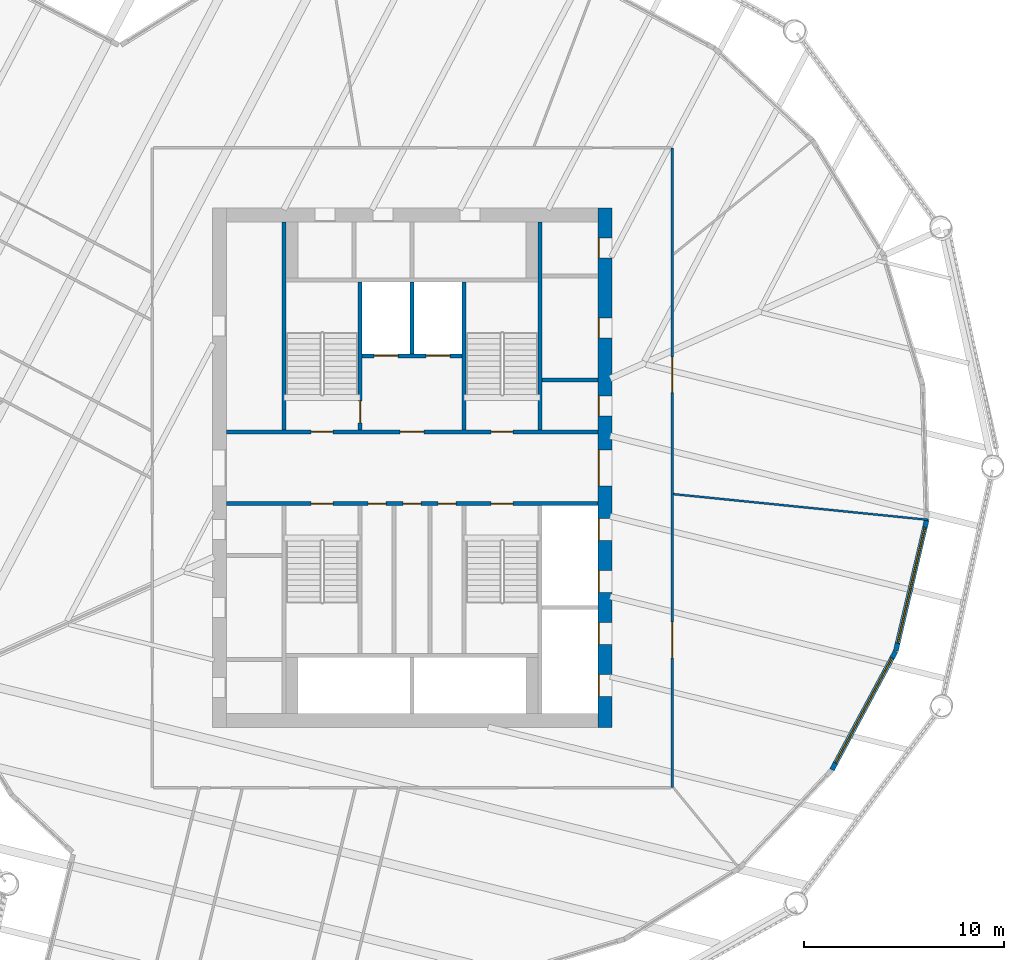
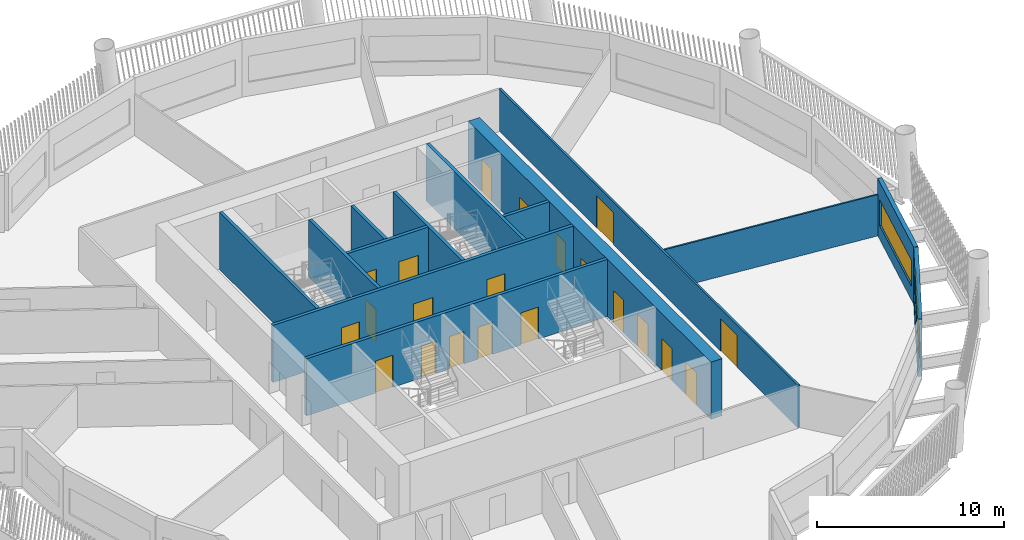
# One storey, part 5 of 15: 21 doors, 14 walls, 2 windows, 23 openings.
"""IFC4 building model written with IfcOpenShell, lengths in metres."""

from ifc_helpers import new_model, si_unit, direction, frame, frame_2d, origin, place, context, subcontext, project, spatial, rectangle, extrude, material, layer, layer_set, type_object, element, fill, save


model = new_model("IFC4")

# Units and contexts
model_context = context("Model", 3, precision=1e-05, world=origin(), true_north=direction((0.0, 1.0)))
body_context = subcontext(model_context, "Body", "Model", "MODEL_VIEW")
ifc_project = project(units=[si_unit("LENGTHUNIT", "METRE"), si_unit("AREAUNIT", "SQUARE_METRE"), si_unit("VOLUMEUNIT", "CUBIC_METRE"), si_unit("PLANEANGLEUNIT", "RADIAN"), si_unit("MASSUNIT", "GRAM", prefix="KILO")], contexts=[model_context])

# Site, building, storey
site_placement = place(None, origin())
site = spatial("IfcSite", under=ifc_project, at=site_placement, CompositionType="ELEMENT")
building_placement = place(site_placement, origin())
building = spatial("IfcBuilding", under=site, at=building_placement, Name="Tarsis Ring Headquarters", CompositionType="ELEMENT")
storey_placement = place(building_placement, frame((0.0, 0.0, 167.10009765625)))
storey = spatial("IfcBuildingStorey", under=building, at=storey_placement, Name="L38", CompositionType="ELEMENT", Elevation=167.10009765625)

# Wall
ifc_material_1 = material(Name="Blockwork", Category="masonry")
ifc_layer_1 = layer(ifc_material_1, 0.199951171875)
ifc_layer_set_1 = layer_set([ifc_layer_1], Name="Core blockwork wall 200")
wall_type_1 = type_object("IfcWallType", Name="Core blockwork wall 200", PredefinedType="PARTITIONING", material=ifc_layer_set_1)
wall_1_placement = place(storey_placement, frame((6.5, 4.39990234375, 0.0), z_axis=(0.0, 0.0, 1.0), x_axis=(1.0, 0.0, 0.0)))
element("IfcWall", 1, at=wall_1_placement, inside=storey, type_object=wall_type_1, Name="Core partition ED5", PredefinedType="PARTITIONING", context=body_context, shape_type="SweptSolid", body=[
    extrude(rectangle(XDim=2.800048828125, YDim=0.199951171875, at=frame_2d((1.39990234375, 0.0))), origin(), (0.0, 0.0, 1.0), 3.739990234375),
])

# Wall, openings, doors
ifc_material_2 = material(Name="Concrete C60/75", Category="concrete")
ifc_layer_2 = layer(ifc_material_2, 0.699951171875)
ifc_layer_set_2 = layer_set([ifc_layer_2], Name="Core wall 700 C60/75")
wall_type_2 = type_object("IfcWallType", Name="Core wall 700 C60/75", PredefinedType="SHEAR", material=ifc_layer_set_2)
wall_2_placement = place(storey_placement, frame((9.64990234375, -13.0, 0.0), z_axis=(0.0, 0.0, 1.0), x_axis=(0.0, 1.0, 0.0)))
wall_2 = element("IfcWall", 2, at=wall_2_placement, inside=storey, type_object=wall_type_2, Name="Core wall OE", PredefinedType="SHEAR", context=body_context, shape_type="SweptSolid", body=[
    extrude(rectangle(XDim=26.0, YDim=0.699951171875, at=frame_2d((13.0, 0.0))), origin(), (0.0, 0.0, 1.0), 3.739990234375),
])
opening_1_placement = place(wall_2_placement, frame((1.550048828125, 0.0, 0.0)))
opening_1 = element("IfcOpeningElement", 3, at=opening_1_placement, cuts=wall_2, Name="Opening LD-MR1", PredefinedType="OPENING", context=body_context, shape_type="SweptSolid", body=[
    extrude(rectangle(XDim=1.10009765625, YDim=2.10009765625, at=frame_2d((0.550048828125, 1.050048828125))), frame((0.0, 0.35986328125, 0.0), z_axis=(0.0, -1.0, 0.0), x_axis=(1.0, 0.0, 0.0)), (0.0, 0.0, 1.0), 0.719970703125),
])
opening_2_placement = place(wall_2_placement, frame((4.14990234375, 0.0, 0.0)))
opening_2 = element("IfcOpeningElement", 4, at=opening_2_placement, cuts=wall_2, Name="Opening LD-MR2", PredefinedType="OPENING", context=body_context, shape_type="SweptSolid", body=[
    extrude(rectangle(XDim=1.10009765625, YDim=2.10009765625, at=frame_2d((0.550048828125, 1.050048828125))), frame((0.0, 0.35986328125, 0.0), z_axis=(0.0, -1.0, 0.0), x_axis=(1.0, 0.0, 0.0)), (0.0, 0.0, 1.0), 0.719970703125),
])
opening_3_placement = place(wall_2_placement, frame((6.75, 0.0, 0.0)))
opening_3 = element("IfcOpeningElement", 5, at=opening_3_placement, cuts=wall_2, Name="Opening LD-MR3", PredefinedType="OPENING", context=body_context, shape_type="SweptSolid", body=[
    extrude(rectangle(XDim=1.10009765625, YDim=2.10009765625, at=frame_2d((0.550048828125, 1.050048828125))), frame((0.0, 0.35986328125, 0.0), z_axis=(0.0, -1.0, 0.0), x_axis=(1.0, 0.0, 0.0)), (0.0, 0.0, 1.0), 0.719970703125),
])
opening_4_placement = place(wall_2_placement, frame((9.35009765625, 0.0, 0.0)))
opening_4 = element("IfcOpeningElement", 6, at=opening_4_placement, cuts=wall_2, Name="Opening LD-MR4", PredefinedType="OPENING", context=body_context, shape_type="SweptSolid", body=[
    extrude(rectangle(XDim=1.10009765625, YDim=2.10009765625, at=frame_2d((0.550048828125, 1.050048828125))), frame((0.0, 0.35986328125, 0.0), z_axis=(0.0, -1.0, 0.0), x_axis=(1.0, 0.0, 0.0)), (0.0, 0.0, 1.0), 0.719970703125),
])
opening_5_placement = place(wall_2_placement, frame((12.10009765625, 0.0, 0.0)))
opening_5 = element("IfcOpeningElement", 7, at=opening_5_placement, cuts=wall_2, Name="Opening L38-C10", PredefinedType="OPENING", context=body_context, shape_type="SweptSolid", body=[
    extrude(rectangle(XDim=1.800048828125, YDim=2.10009765625, at=frame_2d((0.89990234375, 1.050048828125))), frame((0.0, 0.35986328125, 0.0), z_axis=(0.0, -1.0, 0.0), x_axis=(1.0, 0.0, 0.0)), (0.0, 0.0, 1.0), 0.719970703125),
])
opening_6_placement = place(wall_2_placement, frame((15.60009765625, 0.0, 0.0)))
opening_6 = element("IfcOpeningElement", 8, at=opening_6_placement, cuts=wall_2, Name="Opening L38-C11", PredefinedType="OPENING", context=body_context, shape_type="SweptSolid", body=[
    extrude(rectangle(XDim=1.0, YDim=2.10009765625, at=frame_2d((0.5, 1.050048828125))), frame((0.0, 0.35986328125, 0.0), z_axis=(0.0, -1.0, 0.0), x_axis=(1.0, 0.0, 0.0)), (0.0, 0.0, 1.0), 0.719970703125),
])
opening_7_placement = place(wall_2_placement, frame((19.5, 0.0, 0.0)))
opening_7 = element("IfcOpeningElement", 9, at=opening_7_placement, cuts=wall_2, Name="Opening L38-C12", PredefinedType="OPENING", context=body_context, shape_type="SweptSolid", body=[
    extrude(rectangle(XDim=1.0, YDim=2.10009765625, at=frame_2d((0.5, 1.050048828125))), frame((0.0, 0.35986328125, 0.0), z_axis=(0.0, -1.0, 0.0), x_axis=(1.0, 0.0, 0.0)), (0.0, 0.0, 1.0), 0.719970703125),
])
opening_8_placement = place(wall_2_placement, frame((23.5, 0.0, 0.0)))
opening_8 = element("IfcOpeningElement", 10, at=opening_8_placement, cuts=wall_2, Name="Opening L38-C13", PredefinedType="OPENING", context=body_context, shape_type="SweptSolid", body=[
    extrude(rectangle(XDim=1.0, YDim=2.10009765625, at=frame_2d((0.5, 1.050048828125))), frame((0.0, 0.35986328125, 0.0), z_axis=(0.0, -1.0, 0.0), x_axis=(1.0, 0.0, 0.0)), (0.0, 0.0, 1.0), 0.719970703125),
])
ifc_material_3 = material(Name="Steel S355", Category="steel")
door_type_1 = type_object("IfcDoorType", Name="Core entry door 1800x2100", OperationType="DOUBLE_DOOR_SINGLE_SWING", PredefinedType="DOOR", material=ifc_material_3)
door_1_placement = place(opening_5_placement, origin())
door_1 = element("IfcDoor", 11, at=door_1_placement, inside=storey, type_object=door_type_1, Name="Core entry door L38", OperationType="DOUBLE_DOOR_SINGLE_SWING", OverallHeight=2.10009765625, OverallWidth=1.800048828125, PredefinedType="DOOR", context=body_context, shape_type="SweptSolid", body=[
    extrude(rectangle(XDim=1.800048828125, YDim=2.10009765625, at=frame_2d((0.89990234375, 1.050048828125))), frame((0.0, 0.35009765625, 0.0), z_axis=(0.0, -1.0, 0.0), x_axis=(1.0, 0.0, 0.0)), (0.0, 0.0, 1.0), 0.050048828125),
])
fill(opening_5, door_1)
door_type_2 = type_object("IfcDoorType", Name="Core room door 1000x2100", OperationType="SINGLE_SWING_LEFT", PredefinedType="DOOR", material=ifc_material_3)
door_2_placement = place(opening_6_placement, origin())
door_2 = element("IfcDoor", 12, at=door_2_placement, inside=storey, type_object=door_type_2, Name="Core room door L38", OperationType="SINGLE_SWING_LEFT", OverallHeight=2.10009765625, OverallWidth=1.0, PredefinedType="DOOR", context=body_context, shape_type="SweptSolid", body=[
    extrude(rectangle(XDim=1.0, YDim=2.10009765625, at=frame_2d((0.5, 1.050048828125))), frame((0.0, 0.35009765625, 0.0), z_axis=(0.0, -1.0, 0.0), x_axis=(1.0, 0.0, 0.0)), (0.0, 0.0, 1.0), 0.050048828125),
])
fill(opening_6, door_2)
door_3_placement = place(opening_7_placement, origin())
door_3 = element("IfcDoor", 13, at=door_3_placement, inside=storey, type_object=door_type_2, Name="Core room door L38", OperationType="SINGLE_SWING_LEFT", OverallHeight=2.10009765625, OverallWidth=1.0, PredefinedType="DOOR", context=body_context, shape_type="SweptSolid", body=[
    extrude(rectangle(XDim=1.0, YDim=2.10009765625, at=frame_2d((0.5, 1.050048828125))), frame((0.0, 0.35009765625, 0.0), z_axis=(0.0, -1.0, 0.0), x_axis=(1.0, 0.0, 0.0)), (0.0, 0.0, 1.0), 0.050048828125),
])
fill(opening_7, door_3)
door_4_placement = place(opening_8_placement, origin())
door_4 = element("IfcDoor", 14, at=door_4_placement, inside=storey, type_object=door_type_2, Name="Core room door L38", OperationType="SINGLE_SWING_LEFT", OverallHeight=2.10009765625, OverallWidth=1.0, PredefinedType="DOOR", context=body_context, shape_type="SweptSolid", body=[
    extrude(rectangle(XDim=1.0, YDim=2.10009765625, at=frame_2d((0.5, 1.050048828125))), frame((0.0, 0.35009765625, 0.0), z_axis=(0.0, -1.0, 0.0), x_axis=(1.0, 0.0, 0.0)), (0.0, 0.0, 1.0), 0.050048828125),
])
fill(opening_8, door_4)
door_type_3 = type_object("IfcDoorType", Name="Landing door 1100x2100", OperationType="SLIDING_TO_LEFT", PredefinedType="DOOR", material=ifc_material_3)
door_5_placement = place(opening_1_placement, origin())
door_5 = element("IfcDoor", 15, at=door_5_placement, inside=storey, type_object=door_type_3, Name="Landing door MR1 L38", OperationType="SLIDING_TO_LEFT", OverallHeight=2.10009765625, OverallWidth=1.10009765625, PredefinedType="DOOR", context=body_context, shape_type="SweptSolid", body=[
    extrude(rectangle(XDim=1.10009765625, YDim=2.10009765625, at=frame_2d((0.550048828125, 1.050048828125))), frame((0.0, 0.35009765625, 0.0), z_axis=(0.0, -1.0, 0.0), x_axis=(1.0, 0.0, 0.0)), (0.0, 0.0, 1.0), 0.050048828125),
])
fill(opening_1, door_5)
door_6_placement = place(opening_2_placement, origin())
door_6 = element("IfcDoor", 16, at=door_6_placement, inside=storey, type_object=door_type_3, Name="Landing door MR2 L38", OperationType="SLIDING_TO_LEFT", OverallHeight=2.10009765625, OverallWidth=1.10009765625, PredefinedType="DOOR", context=body_context, shape_type="SweptSolid", body=[
    extrude(rectangle(XDim=1.10009765625, YDim=2.10009765625, at=frame_2d((0.550048828125, 1.050048828125))), frame((0.0, 0.35009765625, 0.0), z_axis=(0.0, -1.0, 0.0), x_axis=(1.0, 0.0, 0.0)), (0.0, 0.0, 1.0), 0.050048828125),
])
fill(opening_2, door_6)
door_7_placement = place(opening_3_placement, origin())
door_7 = element("IfcDoor", 17, at=door_7_placement, inside=storey, type_object=door_type_3, Name="Landing door MR3 L38", OperationType="SLIDING_TO_LEFT", OverallHeight=2.10009765625, OverallWidth=1.10009765625, PredefinedType="DOOR", context=body_context, shape_type="SweptSolid", body=[
    extrude(rectangle(XDim=1.10009765625, YDim=2.10009765625, at=frame_2d((0.550048828125, 1.050048828125))), frame((0.0, 0.35009765625, 0.0), z_axis=(0.0, -1.0, 0.0), x_axis=(1.0, 0.0, 0.0)), (0.0, 0.0, 1.0), 0.050048828125),
])
fill(opening_3, door_7)
door_8_placement = place(opening_4_placement, origin())
door_8 = element("IfcDoor", 18, at=door_8_placement, inside=storey, type_object=door_type_3, Name="Landing door MR4 L38", OperationType="SLIDING_TO_LEFT", OverallHeight=2.10009765625, OverallWidth=1.10009765625, PredefinedType="DOOR", context=body_context, shape_type="SweptSolid", body=[
    extrude(rectangle(XDim=1.10009765625, YDim=2.10009765625, at=frame_2d((0.550048828125, 1.050048828125))), frame((0.0, 0.35009765625, 0.0), z_axis=(0.0, -1.0, 0.0), x_axis=(1.0, 0.0, 0.0)), (0.0, 0.0, 1.0), 0.050048828125),
])
fill(opening_4, door_8)

# Wall
ifc_material_4 = material(Name="Gypsum board on steel studs", Category="steel")
ifc_layer_3 = layer(ifc_material_4, 0.10009765625)
ifc_layer_set_3 = layer_set([ifc_layer_3], Name="FL partition 100 unrated")
wall_type_3 = type_object("IfcWallType", Name="FL partition 100 unrated", PredefinedType="PARTITIONING", material=ifc_layer_set_3)
wall_3_placement = place(storey_placement, frame((13.069580078125, -1.318359375, 0.0), z_axis=(0.0, 0.0, 1.0), x_axis=(0.994950594724, -0.100365900875, 0.0)))
element("IfcWall", 19, at=wall_3_placement, inside=storey, type_object=wall_type_3, Name="Partition PW3", PredefinedType="PARTITIONING", context=body_context, shape_type="SweptSolid", body=[
    extrude(rectangle(XDim=12.81201171875, YDim=0.10009765625, at=frame_2d((6.406005859375, 0.0))), origin(), (0.0, 0.0, 1.0), 2.699951171875),
])

# Wall, openings, doors
ifc_layer_4 = layer(ifc_material_4, 0.125)
ifc_layer_set_4 = layer_set([ifc_layer_4], Name="FL partition 125 EI 60 H2770")
wall_type_4 = type_object("IfcWallType", Name="FL partition 125 EI 60 H2770", PredefinedType="PARTITIONING", material=ifc_layer_set_4)
wall_4_placement = place(storey_placement, frame((13.0, -16.0, 0.0), z_axis=(0.0, 0.0, 1.0), x_axis=(0.0, 1.0, 0.0)))
wall_4 = element("IfcWall", 20, at=wall_4_placement, inside=storey, type_object=wall_type_4, Name="Partition PW1", PredefinedType="PARTITIONING", context=body_context, shape_type="SweptSolid", body=[
    extrude(rectangle(XDim=32.0, YDim=0.125, at=frame_2d((16.0, 0.0))), origin(), (0.0, 0.0, 1.0), 2.77001953125),
])
opening_9_placement = place(wall_4_placement, frame((19.753173828125, 0.0, 0.0)))
opening_9 = element("IfcOpeningElement", 21, at=opening_9_placement, cuts=wall_4, Name="Opening D38.05", PredefinedType="OPENING", context=body_context, shape_type="SweptSolid", body=[
    extrude(rectangle(XDim=1.800048828125, YDim=2.10009765625, at=frame_2d((0.89990234375, 1.050048828125))), frame((0.0, 0.072509765625, 0.0), z_axis=(0.0, -1.0, 0.0), x_axis=(1.0, 0.0, 0.0)), (0.0, 0.0, 1.0), 0.14501953125),
])
opening_10_placement = place(wall_4_placement, frame((6.48583984375, 0.0, 0.0)))
opening_10 = element("IfcOpeningElement", 22, at=opening_10_placement, cuts=wall_4, Name="Opening D38.06", PredefinedType="OPENING", context=body_context, shape_type="SweptSolid", body=[
    extrude(rectangle(XDim=1.800048828125, YDim=2.10009765625, at=frame_2d((0.89990234375, 1.050048828125))), frame((0.0, 0.072509765625, 0.0), z_axis=(0.0, -1.0, 0.0), x_axis=(1.0, 0.0, 0.0)), (0.0, 0.0, 1.0), 0.14501953125),
])
ifc_material_5 = material(Name="Fire-rated timber door leaf in steel frame", Category="steel")
door_type_4 = type_object("IfcDoorType", Name="FL door FD60-1800", OperationType="DOUBLE_DOOR_SINGLE_SWING", PredefinedType="DOOR", material=ifc_material_5)
door_9_placement = place(opening_9_placement, origin())
door_9 = element("IfcDoor", 23, at=door_9_placement, inside=storey, type_object=door_type_4, Name="Door D38.05", OperationType="DOUBLE_DOOR_SINGLE_SWING", OverallHeight=2.10009765625, OverallWidth=1.800048828125, PredefinedType="DOOR", context=body_context, shape_type="SweptSolid", body=[
    extrude(rectangle(XDim=1.800048828125, YDim=2.10009765625, at=frame_2d((0.89990234375, 1.050048828125))), frame((0.0, 0.02490234375, 0.0), z_axis=(0.0, -1.0, 0.0), x_axis=(1.0, 0.0, 0.0)), (0.0, 0.0, 1.0), 0.050048828125),
])
fill(opening_9, door_9)
door_10_placement = place(opening_10_placement, origin())
door_10 = element("IfcDoor", 24, at=door_10_placement, inside=storey, type_object=door_type_4, Name="Door D38.06", OperationType="DOUBLE_DOOR_SINGLE_SWING", OverallHeight=2.10009765625, OverallWidth=1.800048828125, PredefinedType="DOOR", context=body_context, shape_type="SweptSolid", body=[
    extrude(rectangle(XDim=1.800048828125, YDim=2.10009765625, at=frame_2d((0.89990234375, 1.050048828125))), frame((0.0, 0.02490234375, 0.0), z_axis=(0.0, -1.0, 0.0), x_axis=(1.0, 0.0, 0.0)), (0.0, 0.0, 1.0), 0.050048828125),
])
fill(opening_10, door_10)

# Wall, opening, window
ifc_material_6 = material(Name="Terracotta clad insulated panel wall", Category="masonry")
ifc_layer_5 = layer(ifc_material_6, 0.25)
ifc_layer_set_5 = layer_set([ifc_layer_5], Name="Facade wall terracotta panel 250")
wall_type_5 = type_object("IfcWallType", Name="Facade wall terracotta panel 250", PredefinedType="STANDARD", material=ifc_layer_set_5)
wall_5_placement = place(storey_placement, frame((21.003662109375, -15.10595703125, 0.0), z_axis=(0.0, 0.0, 1.0), x_axis=(0.473488905587, 0.880799782179, 0.0)))
wall_5 = element("IfcWall", 25, at=wall_5_placement, inside=storey, type_object=wall_type_5, Name="External wall L38-20", PredefinedType="STANDARD", context=body_context, shape_type="SweptSolid", body=[
    extrude(rectangle(XDim=6.7216796875, YDim=0.25, at=frame_2d((3.36083984375, 0.0))), origin(), (0.0, 0.0, 1.0), 3.739990234375),
])
opening_11_placement = place(wall_5_placement, frame((0.3857421875, 0.0, 0.89990234375)))
opening_11 = element("IfcOpeningElement", 26, at=opening_11_placement, cuts=wall_5, Name="Opening WN07", PredefinedType="OPENING", context=body_context, shape_type="SweptSolid", body=[
    extrude(rectangle(XDim=5.949951171875, YDim=1.699951171875, at=frame_2d((2.97509765625, 0.85009765625))), frame((0.0, 0.135009765625, 0.0), z_axis=(0.0, -1.0, 0.0), x_axis=(1.0, 0.0, 0.0)), (0.0, 0.0, 1.0), 0.27001953125),
])
ifc_material_7 = material(Name="Aluminium framed double glazing", Category="aluminium")
window_type = type_object("IfcWindowType", Name="Facade window 5950 x 1700", PartitioningType="SINGLE_PANEL", PredefinedType="WINDOW", material=ifc_material_7)
window_1_placement = place(opening_11_placement, origin())
window_1 = element("IfcWindow", 27, at=window_1_placement, inside=storey, type_object=window_type, Name="Window L38-20.1", OverallHeight=1.699951171875, OverallWidth=5.949951171875, PartitioningType="SINGLE_PANEL", PredefinedType="WINDOW", context=body_context, shape_type="SweptSolid", body=[
    extrude(rectangle(XDim=5.949951171875, YDim=1.699951171875, at=frame_2d((2.97509765625, 0.85009765625))), frame((0.0, 0.030029296875, 0.0), z_axis=(0.0, -1.0, 0.0), x_axis=(1.0, 0.0, 0.0)), (0.0, 0.0, 1.0), 0.06005859375),
])
fill(opening_11, window_1)

wall_6_placement = place(storey_placement, frame((24.19775390625, -9.155029296875, 0.0), z_axis=(0.0, 0.0, 1.0), x_axis=(0.22937741811, 0.9733375571, 0.0)))
wall_6 = element("IfcWall", 28, at=wall_6_placement, inside=storey, type_object=wall_type_5, Name="External wall L38-21", PredefinedType="STANDARD", context=body_context, shape_type="SweptSolid", body=[
    extrude(rectangle(XDim=6.721435546875, YDim=0.25, at=frame_2d((3.36083984375, 0.0))), origin(), (0.0, 0.0, 1.0), 3.739990234375),
])
opening_12_placement = place(wall_6_placement, frame((0.3857421875, 0.0, 0.89990234375)))
opening_12 = element("IfcOpeningElement", 29, at=opening_12_placement, cuts=wall_6, Name="Opening WN07", PredefinedType="OPENING", context=body_context, shape_type="SweptSolid", body=[
    extrude(rectangle(XDim=5.949951171875, YDim=1.699951171875, at=frame_2d((2.97509765625, 0.85009765625))), frame((0.0, 0.135009765625, 0.0), z_axis=(0.0, -1.0, 0.0), x_axis=(1.0, 0.0, 0.0)), (0.0, 0.0, 1.0), 0.27001953125),
])
window_2_placement = place(opening_12_placement, origin())
window_2 = element("IfcWindow", 30, at=window_2_placement, inside=storey, type_object=window_type, Name="Window L38-21.1", OverallHeight=1.699951171875, OverallWidth=5.949951171875, PartitioningType="SINGLE_PANEL", PredefinedType="WINDOW", context=body_context, shape_type="SweptSolid", body=[
    extrude(rectangle(XDim=5.949951171875, YDim=1.699951171875, at=frame_2d((2.97509765625, 0.85009765625))), frame((0.0, 0.030029296875, 0.0), z_axis=(0.0, -1.0, 0.0), x_axis=(1.0, 0.0, 0.0)), (0.0, 0.0, 1.0), 0.06005859375),
])
fill(opening_12, window_2)

# Wall, openings, doors
ifc_material_8 = material(Name="Concrete C32/40", Category="concrete")
ifc_layer_6 = layer(ifc_material_8, 0.199951171875)
ifc_layer_set_6 = layer_set([ifc_layer_6], Name="Shaft wall 200 C32/40")
wall_type_6 = type_object("IfcWallType", Name="Shaft wall 200 C32/40", PredefinedType="SOLIDWALL", material=ifc_layer_set_6)
wall_7_placement = place(storey_placement, frame((-9.300048828125, 1.800048828125, 0.0), z_axis=(0.0, 0.0, 1.0), x_axis=(1.0, 0.0, 0.0)))
wall_7 = element("IfcWall", 31, at=wall_7_placement, inside=storey, type_object=wall_type_6, Name="Core shaft wall CN", PredefinedType="SOLIDWALL", context=body_context, shape_type="SweptSolid", body=[
    extrude(rectangle(XDim=18.60009765625, YDim=0.199951171875, at=frame_2d((9.300048828125, 0.0))), origin(), (0.0, 0.0, 1.0), 3.739990234375),
])
opening_13_placement = place(wall_7_placement, frame((4.25, 0.0, 0.0)))
opening_13 = element("IfcOpeningElement", 32, at=opening_13_placement, cuts=wall_7, Name="Opening L38-C17", PredefinedType="OPENING", context=body_context, shape_type="SweptSolid", body=[
    extrude(rectangle(XDim=1.10009765625, YDim=2.10009765625, at=frame_2d((0.550048828125, 1.050048828125))), frame((0.0, 0.10986328125, 0.0), z_axis=(0.0, -1.0, 0.0), x_axis=(1.0, 0.0, 0.0)), (0.0, 0.0, 1.0), 0.219970703125),
])
opening_14_placement = place(wall_7_placement, frame((8.699951171875, 0.0, 0.0)))
opening_14 = element("IfcOpeningElement", 33, at=opening_14_placement, cuts=wall_7, Name="Opening L38-C18", PredefinedType="OPENING", context=body_context, shape_type="SweptSolid", body=[
    extrude(rectangle(XDim=1.199951171875, YDim=2.10009765625, at=frame_2d((0.60009765625, 1.050048828125))), frame((0.0, 0.10986328125, 0.0), z_axis=(0.0, -1.0, 0.0), x_axis=(1.0, 0.0, 0.0)), (0.0, 0.0, 1.0), 0.219970703125),
])
opening_15_placement = place(wall_7_placement, frame((13.25, 0.0, 0.0)))
opening_15 = element("IfcOpeningElement", 34, at=opening_15_placement, cuts=wall_7, Name="Opening L38-C19", PredefinedType="OPENING", context=body_context, shape_type="SweptSolid", body=[
    extrude(rectangle(XDim=1.10009765625, YDim=2.10009765625, at=frame_2d((0.550048828125, 1.050048828125))), frame((0.0, 0.10986328125, 0.0), z_axis=(0.0, -1.0, 0.0), x_axis=(1.0, 0.0, 0.0)), (0.0, 0.0, 1.0), 0.219970703125),
])
door_type_5 = type_object("IfcDoorType", Name="Firefighting lobby door 1200x2100", OperationType="DOUBLE_DOOR_SINGLE_SWING", PredefinedType="DOOR", material=ifc_material_3)
door_11_placement = place(opening_14_placement, origin())
door_11 = element("IfcDoor", 35, at=door_11_placement, inside=storey, type_object=door_type_5, Name="Firefighting lobby door L38", OperationType="DOUBLE_DOOR_SINGLE_SWING", OverallHeight=2.10009765625, OverallWidth=1.199951171875, PredefinedType="DOOR", context=body_context, shape_type="SweptSolid", body=[
    extrude(rectangle(XDim=1.199951171875, YDim=2.10009765625, at=frame_2d((0.60009765625, 1.050048828125))), frame((0.0, 0.02490234375, 0.0), z_axis=(0.0, -1.0, 0.0), x_axis=(1.0, 0.0, 0.0)), (0.0, 0.0, 1.0), 0.050048828125),
])
fill(opening_14, door_11)
door_type_6 = type_object("IfcDoorType", Name="Stair door 1100x2100", OperationType="SINGLE_SWING_LEFT", PredefinedType="DOOR", material=ifc_material_3)
door_12_placement = place(opening_13_placement, origin())
door_12 = element("IfcDoor", 36, at=door_12_placement, inside=storey, type_object=door_type_6, Name="Stair door L38", OperationType="SINGLE_SWING_LEFT", OverallHeight=2.10009765625, OverallWidth=1.10009765625, PredefinedType="DOOR", context=body_context, shape_type="SweptSolid", body=[
    extrude(rectangle(XDim=1.10009765625, YDim=2.10009765625, at=frame_2d((0.550048828125, 1.050048828125))), frame((0.0, 0.02490234375, 0.0), z_axis=(0.0, -1.0, 0.0), x_axis=(1.0, 0.0, 0.0)), (0.0, 0.0, 1.0), 0.050048828125),
])
fill(opening_13, door_12)
door_13_placement = place(opening_15_placement, origin())
door_13 = element("IfcDoor", 37, at=door_13_placement, inside=storey, type_object=door_type_6, Name="Stair door L38", OperationType="SINGLE_SWING_LEFT", OverallHeight=2.10009765625, OverallWidth=1.10009765625, PredefinedType="DOOR", context=body_context, shape_type="SweptSolid", body=[
    extrude(rectangle(XDim=1.10009765625, YDim=2.10009765625, at=frame_2d((0.550048828125, 1.050048828125))), frame((0.0, 0.02490234375, 0.0), z_axis=(0.0, -1.0, 0.0), x_axis=(1.0, 0.0, 0.0)), (0.0, 0.0, 1.0), 0.050048828125),
])
fill(opening_15, door_13)

wall_8_placement = place(storey_placement, frame((-9.300048828125, -1.800048828125, 0.0), z_axis=(0.0, 0.0, 1.0), x_axis=(1.0, 0.0, 0.0)))
wall_8 = element("IfcWall", 38, at=wall_8_placement, inside=storey, type_object=wall_type_6, Name="Core shaft wall CS", PredefinedType="SOLIDWALL", context=body_context, shape_type="SweptSolid", body=[
    extrude(rectangle(XDim=18.60009765625, YDim=0.199951171875, at=frame_2d((9.300048828125, 0.0))), origin(), (0.0, 0.0, 1.0), 3.739990234375),
])
opening_16_placement = place(wall_8_placement, frame((4.25, 0.0, 0.0)))
opening_16 = element("IfcOpeningElement", 39, at=opening_16_placement, cuts=wall_8, Name="Opening L38-C20", PredefinedType="OPENING", context=body_context, shape_type="SweptSolid", body=[
    extrude(rectangle(XDim=1.10009765625, YDim=2.10009765625, at=frame_2d((0.550048828125, 1.050048828125))), frame((0.0, 0.10986328125, 0.0), z_axis=(0.0, -1.0, 0.0), x_axis=(1.0, 0.0, 0.0)), (0.0, 0.0, 1.0), 0.219970703125),
])
opening_17_placement = place(wall_8_placement, frame((7.10009765625, 0.0, 0.0)))
opening_17 = element("IfcOpeningElement", 40, at=opening_17_placement, cuts=wall_8, Name="Opening L38-C21", PredefinedType="OPENING", context=body_context, shape_type="SweptSolid", body=[
    extrude(rectangle(XDim=0.89990234375, YDim=2.10009765625, at=frame_2d((0.449951171875, 1.050048828125))), frame((0.0, 0.10986328125, 0.0), z_axis=(0.0, -1.0, 0.0), x_axis=(1.0, 0.0, 0.0)), (0.0, 0.0, 1.0), 0.219970703125),
])
opening_18_placement = place(wall_8_placement, frame((8.85009765625, 0.0, 0.0)))
opening_18 = element("IfcOpeningElement", 41, at=opening_18_placement, cuts=wall_8, Name="Opening L38-C22", PredefinedType="OPENING", context=body_context, shape_type="SweptSolid", body=[
    extrude(rectangle(XDim=0.89990234375, YDim=2.10009765625, at=frame_2d((0.449951171875, 1.050048828125))), frame((0.0, 0.10986328125, 0.0), z_axis=(0.0, -1.0, 0.0), x_axis=(1.0, 0.0, 0.0)), (0.0, 0.0, 1.0), 0.219970703125),
])
opening_19_placement = place(wall_8_placement, frame((10.60009765625, 0.0, 0.0)))
opening_19 = element("IfcOpeningElement", 42, at=opening_19_placement, cuts=wall_8, Name="Opening L38-C23", PredefinedType="OPENING", context=body_context, shape_type="SweptSolid", body=[
    extrude(rectangle(XDim=0.89990234375, YDim=2.10009765625, at=frame_2d((0.449951171875, 1.050048828125))), frame((0.0, 0.10986328125, 0.0), z_axis=(0.0, -1.0, 0.0), x_axis=(1.0, 0.0, 0.0)), (0.0, 0.0, 1.0), 0.219970703125),
])
opening_20_placement = place(wall_8_placement, frame((13.25, 0.0, 0.0)))
opening_20 = element("IfcOpeningElement", 43, at=opening_20_placement, cuts=wall_8, Name="Opening L38-C24", PredefinedType="OPENING", context=body_context, shape_type="SweptSolid", body=[
    extrude(rectangle(XDim=1.10009765625, YDim=2.10009765625, at=frame_2d((0.550048828125, 1.050048828125))), frame((0.0, 0.10986328125, 0.0), z_axis=(0.0, -1.0, 0.0), x_axis=(1.0, 0.0, 0.0)), (0.0, 0.0, 1.0), 0.219970703125),
])
door_14_placement = place(opening_16_placement, origin())
door_14 = element("IfcDoor", 44, at=door_14_placement, inside=storey, type_object=door_type_6, Name="Stair door L38", OperationType="SINGLE_SWING_LEFT", OverallHeight=2.10009765625, OverallWidth=1.10009765625, PredefinedType="DOOR", context=body_context, shape_type="SweptSolid", body=[
    extrude(rectangle(XDim=1.10009765625, YDim=2.10009765625, at=frame_2d((0.550048828125, 1.050048828125))), frame((0.0, 0.02490234375, 0.0), z_axis=(0.0, -1.0, 0.0), x_axis=(1.0, 0.0, 0.0)), (0.0, 0.0, 1.0), 0.050048828125),
])
fill(opening_16, door_14)
door_15_placement = place(opening_20_placement, origin())
door_15 = element("IfcDoor", 45, at=door_15_placement, inside=storey, type_object=door_type_6, Name="Stair door L38", OperationType="SINGLE_SWING_LEFT", OverallHeight=2.10009765625, OverallWidth=1.10009765625, PredefinedType="DOOR", context=body_context, shape_type="SweptSolid", body=[
    extrude(rectangle(XDim=1.10009765625, YDim=2.10009765625, at=frame_2d((0.550048828125, 1.050048828125))), frame((0.0, 0.02490234375, 0.0), z_axis=(0.0, -1.0, 0.0), x_axis=(1.0, 0.0, 0.0)), (0.0, 0.0, 1.0), 0.050048828125),
])
fill(opening_20, door_15)
door_type_7 = type_object("IfcDoorType", Name="WC door 900x2100", OperationType="SINGLE_SWING_LEFT", PredefinedType="DOOR", material=ifc_material_3)
door_16_placement = place(opening_17_placement, origin())
door_16 = element("IfcDoor", 46, at=door_16_placement, inside=storey, type_object=door_type_7, Name="WC door L38", OperationType="SINGLE_SWING_LEFT", OverallHeight=2.10009765625, OverallWidth=0.89990234375, PredefinedType="DOOR", context=body_context, shape_type="SweptSolid", body=[
    extrude(rectangle(XDim=0.89990234375, YDim=2.10009765625, at=frame_2d((0.449951171875, 1.050048828125))), frame((0.0, 0.02490234375, 0.0), z_axis=(0.0, -1.0, 0.0), x_axis=(1.0, 0.0, 0.0)), (0.0, 0.0, 1.0), 0.050048828125),
])
fill(opening_17, door_16)
door_17_placement = place(opening_18_placement, origin())
door_17 = element("IfcDoor", 47, at=door_17_placement, inside=storey, type_object=door_type_7, Name="WC door L38", OperationType="SINGLE_SWING_LEFT", OverallHeight=2.10009765625, OverallWidth=0.89990234375, PredefinedType="DOOR", context=body_context, shape_type="SweptSolid", body=[
    extrude(rectangle(XDim=0.89990234375, YDim=2.10009765625, at=frame_2d((0.449951171875, 1.050048828125))), frame((0.0, 0.02490234375, 0.0), z_axis=(0.0, -1.0, 0.0), x_axis=(1.0, 0.0, 0.0)), (0.0, 0.0, 1.0), 0.050048828125),
])
fill(opening_18, door_17)
door_18_placement = place(opening_19_placement, origin())
door_18 = element("IfcDoor", 48, at=door_18_placement, inside=storey, type_object=door_type_7, Name="WC door L38", OperationType="SINGLE_SWING_LEFT", OverallHeight=2.10009765625, OverallWidth=0.89990234375, PredefinedType="DOOR", context=body_context, shape_type="SweptSolid", body=[
    extrude(rectangle(XDim=0.89990234375, YDim=2.10009765625, at=frame_2d((0.449951171875, 1.050048828125))), frame((0.0, 0.02490234375, 0.0), z_axis=(0.0, -1.0, 0.0), x_axis=(1.0, 0.0, 0.0)), (0.0, 0.0, 1.0), 0.050048828125),
])
fill(opening_19, door_18)

# Walls
for number, where, z_axis, x_axis, name in (
    (49, (-6.39990234375, 1.89990234375, 0.0), (0.0, 0.0, 1.0), (0.0, 1.0, 0.0), "Core shaft wall WB2"),
    (50, (6.39990234375, 1.89990234375, 0.0), (0.0, 0.0, 1.0), (0.0, 1.0, 0.0), "Core shaft wall EB2"),
):
    element("IfcWall", number, at=place(storey_placement, frame(where, z_axis=z_axis, x_axis=x_axis)), inside=storey, type_object=wall_type_6, Name=name, PredefinedType="SOLIDWALL", context=body_context, shape_type="SweptSolid", body=[
        extrude(rectangle(XDim=10.400146484375, YDim=0.199951171875, at=frame_2d((5.2001953125, 0.0))), origin(), (0.0, 0.0, 1.0), 3.739990234375),
    ])

# Wall, opening, door
wall_9_placement = place(storey_placement, frame((-2.60009765625, 1.89990234375, 0.0), z_axis=(0.0, 0.0, 1.0), x_axis=(0.0, 1.0, 0.0)))
wall_9 = element("IfcWall", 51, at=wall_9_placement, inside=storey, type_object=wall_type_6, Name="Core shaft wall SW1", PredefinedType="SOLIDWALL", context=body_context, shape_type="SweptSolid", body=[
    extrude(rectangle(XDim=7.400146484375, YDim=0.199951171875, at=frame_2d((3.7001953125, 0.0))), origin(), (0.0, 0.0, 1.0), 3.739990234375),
])
opening_21_placement = place(wall_9_placement, frame((0.35009765625, 0.0, 0.0)))
opening_21 = element("IfcOpeningElement", 52, at=opening_21_placement, cuts=wall_9, Name="Opening L38-C25", PredefinedType="OPENING", context=body_context, shape_type="SweptSolid", body=[
    extrude(rectangle(XDim=1.10009765625, YDim=2.10009765625, at=frame_2d((0.550048828125, 1.050048828125))), frame((0.0, 0.10986328125, 0.0), z_axis=(0.0, -1.0, 0.0), x_axis=(1.0, 0.0, 0.0)), (0.0, 0.0, 1.0), 0.219970703125),
])
door_19_placement = place(opening_21_placement, origin())
door_19 = element("IfcDoor", 53, at=door_19_placement, inside=storey, type_object=door_type_6, Name="Stair door L38", OperationType="SINGLE_SWING_LEFT", OverallHeight=2.10009765625, OverallWidth=1.10009765625, PredefinedType="DOOR", context=body_context, shape_type="SweptSolid", body=[
    extrude(rectangle(XDim=1.10009765625, YDim=2.10009765625, at=frame_2d((0.550048828125, 1.050048828125))), frame((0.0, 0.02490234375, 0.0), z_axis=(0.0, -1.0, 0.0), x_axis=(1.0, 0.0, 0.0)), (0.0, 0.0, 1.0), 0.050048828125),
])
fill(opening_21, door_19)

# Wall
wall_10_placement = place(storey_placement, frame((2.60009765625, 1.89990234375, 0.0), z_axis=(0.0, 0.0, 1.0), x_axis=(0.0, 1.0, 0.0)))
element("IfcWall", 54, at=wall_10_placement, inside=storey, type_object=wall_type_6, Name="Core shaft wall SW2", PredefinedType="SOLIDWALL", context=body_context, shape_type="SweptSolid", body=[
    extrude(rectangle(XDim=7.400146484375, YDim=0.199951171875, at=frame_2d((3.7001953125, 0.0))), origin(), (0.0, 0.0, 1.0), 3.739990234375),
])

# Wall, openings, doors
wall_11_placement = place(storey_placement, frame((-2.5, 5.60009765625, 0.0), z_axis=(0.0, 0.0, 1.0), x_axis=(1.0, 0.0, 0.0)))
wall_11 = element("IfcWall", 55, at=wall_11_placement, inside=storey, type_object=wall_type_6, Name="Core shaft wall FFN", PredefinedType="SOLIDWALL", context=body_context, shape_type="SweptSolid", body=[
    extrude(rectangle(XDim=5.0, YDim=0.199951171875, at=frame_2d((2.5, 0.0))), origin(), (0.0, 0.0, 1.0), 3.739990234375),
])
opening_22_placement = place(wall_11_placement, frame((0.60009765625, 0.0, 0.0)))
opening_22 = element("IfcOpeningElement", 56, at=opening_22_placement, cuts=wall_11, Name="Opening LDF-1", PredefinedType="OPENING", context=body_context, shape_type="SweptSolid", body=[
    extrude(rectangle(XDim=1.199951171875, YDim=2.10009765625, at=frame_2d((0.60009765625, 1.050048828125))), frame((0.0, 0.10986328125, 0.0), z_axis=(0.0, -1.0, 0.0), x_axis=(1.0, 0.0, 0.0)), (0.0, 0.0, 1.0), 0.219970703125),
])
opening_23_placement = place(wall_11_placement, frame((3.199951171875, 0.0, 0.0)))
opening_23 = element("IfcOpeningElement", 57, at=opening_23_placement, cuts=wall_11, Name="Opening LDF-2", PredefinedType="OPENING", context=body_context, shape_type="SweptSolid", body=[
    extrude(rectangle(XDim=1.199951171875, YDim=2.10009765625, at=frame_2d((0.60009765625, 1.050048828125))), frame((0.0, 0.10986328125, 0.0), z_axis=(0.0, -1.0, 0.0), x_axis=(1.0, 0.0, 0.0)), (0.0, 0.0, 1.0), 0.219970703125),
])
door_type_8 = type_object("IfcDoorType", Name="Firefighting landing door 1200x2100", OperationType="SLIDING_TO_LEFT", PredefinedType="DOOR", material=ifc_material_3)
door_20_placement = place(opening_22_placement, origin())
door_20 = element("IfcDoor", 58, at=door_20_placement, inside=storey, type_object=door_type_8, Name="Landing door FF1 L38", OperationType="SLIDING_TO_LEFT", OverallHeight=2.10009765625, OverallWidth=1.199951171875, PredefinedType="DOOR", context=body_context, shape_type="SweptSolid", body=[
    extrude(rectangle(XDim=1.199951171875, YDim=2.10009765625, at=frame_2d((0.60009765625, 1.050048828125))), frame((0.0, 0.02490234375, 0.0), z_axis=(0.0, -1.0, 0.0), x_axis=(1.0, 0.0, 0.0)), (0.0, 0.0, 1.0), 0.050048828125),
])
fill(opening_22, door_20)
door_21_placement = place(opening_23_placement, origin())
door_21 = element("IfcDoor", 59, at=door_21_placement, inside=storey, type_object=door_type_8, Name="Landing door FF2 L38", OperationType="SLIDING_TO_LEFT", OverallHeight=2.10009765625, OverallWidth=1.199951171875, PredefinedType="DOOR", context=body_context, shape_type="SweptSolid", body=[
    extrude(rectangle(XDim=1.199951171875, YDim=2.10009765625, at=frame_2d((0.60009765625, 1.050048828125))), frame((0.0, 0.02490234375, 0.0), z_axis=(0.0, -1.0, 0.0), x_axis=(1.0, 0.0, 0.0)), (0.0, 0.0, 1.0), 0.050048828125),
])
fill(opening_23, door_21)

# Wall
wall_12_placement = place(storey_placement, frame((0.0, 5.699951171875, 0.0), z_axis=(0.0, 0.0, 1.0), x_axis=(0.0, 1.0, 0.0)))
element("IfcWall", 60, at=wall_12_placement, inside=storey, type_object=wall_type_6, Name="Core shaft wall FFD", PredefinedType="SOLIDWALL", context=body_context, shape_type="SweptSolid", body=[
    extrude(rectangle(XDim=3.60009765625, YDim=0.199951171875, at=frame_2d((1.800048828125, 0.0))), origin(), (0.0, 0.0, 1.0), 3.739990234375),
])

save(model, "model.ifc")
